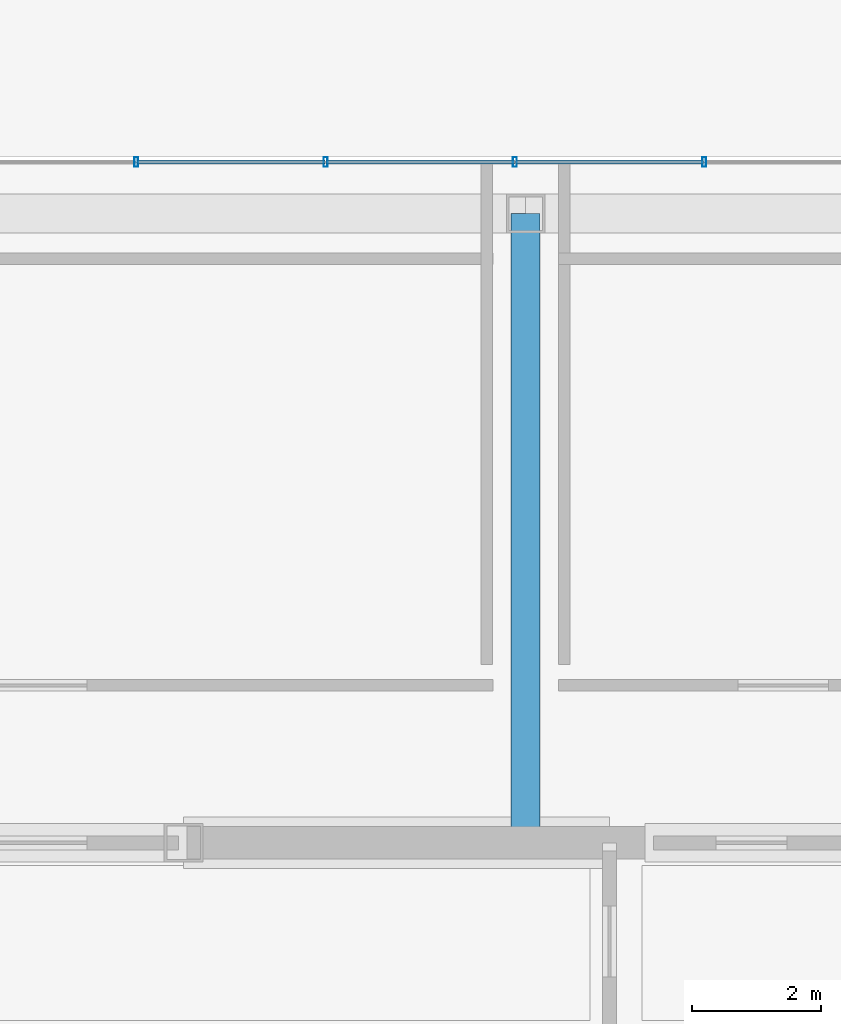
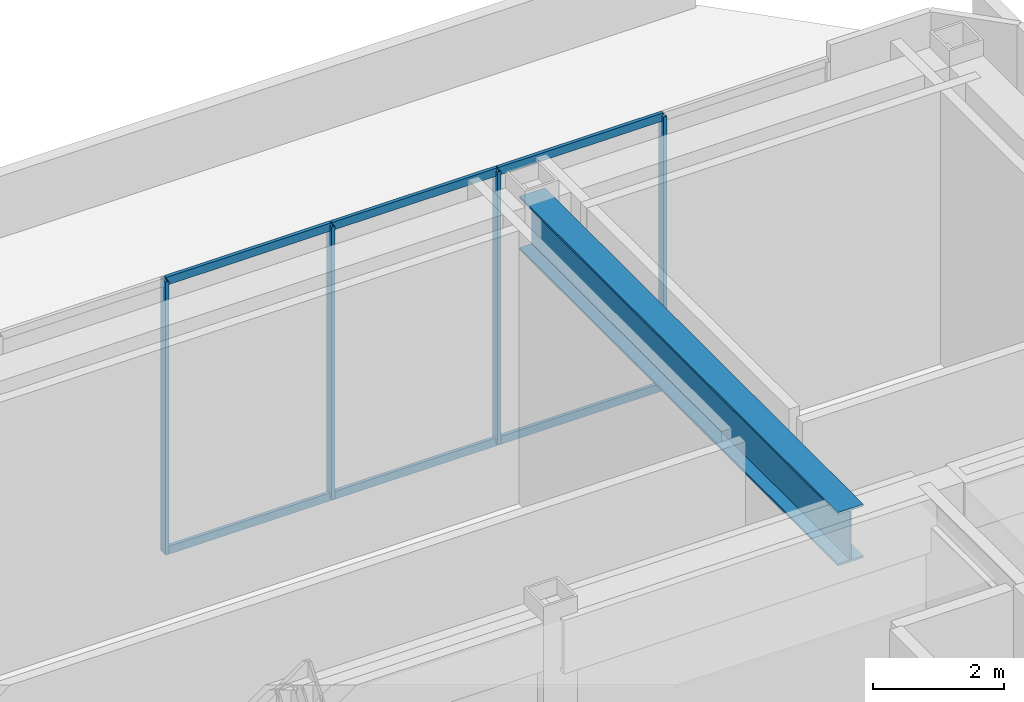
# One storey, part 5 of 11: 10 members, 1 beam, 1 element without a shape of its own.
"""IFC4 building model written with IfcOpenShell, lengths in metres."""

import ifcopenshell
import ifcopenshell.guid

model = None  # the IFC model being written
_history = None  # IfcOwnerHistory: only IFC2X3 demands one
_inside = {}  # id of a spatial element -> (the spatial element, [elements in it])
_under = {}  # id of a project, library or spatial element -> (it, [spatial elements below it])
_declared = {}  # id of a project -> (the project, [libraries it declares])
_typed = {}  # id of a type object -> (the type object, [elements of that type])
_made_of = {}  # id of a material, layer set ... -> (it, [elements and type objects made of it])


def new_model(schema):
    """Start an empty IFC model of exactly this schema.

    Asked for "IFC4X3", IfcOpenShell would pick the latest addendum, in which some entities
    have other attributes; the version numbers below select the first issue.
    IFC2X3 requires an IfcOwnerHistory on every rooted entity: one is made here for all.
    """
    global model, _history
    if schema == "IFC4X3":
        model = ifcopenshell.file(schema_version=(4, 3, 0, 0))
    else:
        model = ifcopenshell.file(schema=schema)
    _inside.clear()
    _under.clear()
    _declared.clear()
    _typed.clear()
    _made_of.clear()
    _history = None
    if model.schema == "IFC2X3":
        org = make("IfcOrganization", Name="unknown")
        user = make(
            "IfcPersonAndOrganization",
            ThePerson=make("IfcPerson", FamilyName="unknown"),
            TheOrganization=org,
        )
        app = make(
            "IfcApplication",
            ApplicationDeveloper=org,
            Version="unknown",
            ApplicationFullName="unknown",
            ApplicationIdentifier="unknown",
        )
        _history = make(
            "IfcOwnerHistory",
            OwningUser=user,
            OwningApplication=app,
            ChangeAction="ADDED",
            CreationDate=0,
        )
    return model


def make(cls, **values):
    """One entity of the class cls with the attributes given. An attribute that is None is left unset."""
    return model.create_entity(
        cls, **{name: value for name, value in values.items() if value is not None}
    )


def rooted(cls, **values):
    """An entity with a GlobalId (a new one), such as an element, a storey or a relation."""
    return make(cls, GlobalId=ifcopenshell.guid.new(), OwnerHistory=_history, **values)


def si_unit(unit_type, name, prefix=None):
    """IfcSIUnit, for example si_unit("LENGTHUNIT", "METRE", prefix="MILLI")."""
    return make("IfcSIUnit", UnitType=unit_type, Prefix=prefix, Name=name)


def assignment(units):
    """IfcUnitAssignment: the units of a project."""
    return None if units is None else make("IfcUnitAssignment", Units=units)


def point(xyz):
    """IfcCartesianPoint."""
    return None if xyz is None else make("IfcCartesianPoint", Coordinates=xyz)


def direction(xyz):
    """IfcDirection."""
    return None if xyz is None else make("IfcDirection", DirectionRatios=xyz)


def frame(location, z_axis=None, x_axis=None):
    """IfcAxis2Placement3D, a coordinate frame: its origin and axes. An axis left out is left unset."""
    return make(
        "IfcAxis2Placement3D",
        Location=point(location),
        Axis=direction(z_axis),
        RefDirection=direction(x_axis),
    )


def frame_2d(location, x_axis=None):
    """IfcAxis2Placement2D, a coordinate frame in the plane: its origin and x axis."""
    return make(
        "IfcAxis2Placement2D", Location=point(location), RefDirection=direction(x_axis)
    )


def origin():
    """The frame at (0, 0, 0) with its axes left unset."""
    return frame((0.0, 0.0, 0.0))


def origin_2d():
    """The frame at (0, 0) in the plane with its x axis left unset."""
    return frame_2d((0.0, 0.0))


def place(relative_to, where):
    """IfcLocalPlacement: puts the frame where relative to a parent placement (None: the world)."""
    return make(
        "IfcLocalPlacement", PlacementRelTo=relative_to, RelativePlacement=where
    )


def context(
    kind, dimensions, precision=None, world=None, true_north=None, identifier=None
):
    """IfcGeometricRepresentationContext, for example the 3D "Model" context."""
    return make(
        "IfcGeometricRepresentationContext",
        ContextIdentifier=identifier,
        ContextType=kind,
        CoordinateSpaceDimension=dimensions,
        Precision=precision,
        WorldCoordinateSystem=world,
        TrueNorth=true_north,
    )


def subcontext(parent, identifier, kind, view, scale=None):
    """IfcGeometricRepresentationSubContext, for example "Body" below "Model"."""
    return make(
        "IfcGeometricRepresentationSubContext",
        ContextIdentifier=identifier,
        ContextType=kind,
        ParentContext=parent,
        TargetScale=scale,
        TargetView=view,
    )


def project(units=None, contexts=None):
    """IfcProject with its units and contexts."""
    return rooted(
        "IfcProject",
        Name="project",
        RepresentationContexts=contexts,
        UnitsInContext=assignment(units),
    )


def spatial(cls, under=None, at=None, **own):
    """A site, building, storey or space (cls), placed at a placement, below another one or the project."""
    s = rooted(cls, ObjectPlacement=at, **own)
    if under is not None:
        _under.setdefault(under.id(), (under, []))[1].append(s)
    return s


def profile(cls, at=None, kind="AREA", **sizes):
    """A parametric profile (cls). Its sizes go by their IFC names, for example OverallWidth=200.0."""
    return make(cls, ProfileType=kind, Position=at, **sizes)


def hollow_rectangle(**sizes):
    """IfcRectangleHollowProfileDef."""
    return profile("IfcRectangleHollowProfileDef", **sizes)


def i_section(**sizes):
    """IfcIShapeProfileDef."""
    return profile("IfcIShapeProfileDef", **sizes)


def extrude(swept, where, along, depth):
    """IfcExtrudedAreaSolid: the profile swept, set in the frame where, extruded along a direction by depth."""
    return make(
        "IfcExtrudedAreaSolid",
        SweptArea=swept,
        Position=where,
        ExtrudedDirection=direction(along),
        Depth=depth,
    )


def shape(context_of_items, identifier, shape_type, items):
    """IfcShapeRepresentation: the items that make up one representation, for example the "Body"."""
    return make(
        "IfcShapeRepresentation",
        ContextOfItems=context_of_items,
        RepresentationIdentifier=identifier,
        RepresentationType=shape_type,
        Items=items,
    )


def material(Name=None, Category=None):
    """IfcMaterial."""
    return make("IfcMaterial", Name=Name, Category=Category)


def material_profile(
    of_material, cross_section, Name=None, Category=None, Priority=None
):
    """IfcMaterialProfile: a cross section and its material."""
    return make(
        "IfcMaterialProfile",
        Name=Name,
        Material=of_material,
        Profile=cross_section,
        Priority=Priority,
        Category=Category,
    )


def profile_set(profiles, Name=None, composite=None):
    """IfcMaterialProfileSet."""
    return make(
        "IfcMaterialProfileSet",
        Name=Name,
        MaterialProfiles=profiles,
        CompositeProfile=composite,
    )


def made_of(thing, what):
    """Note that an element or type object is made of a material, layer set ...; save() writes the relation."""
    if what is not None:
        _made_of.setdefault(what.id(), (what, []))[1].append(thing)
    return thing


def type_object(cls, material=None, **own):
    """A type object (cls), such as IfcWallType, which elements share."""
    return made_of(rooted(cls, **own), material)


def element(
    cls,
    number,
    at=None,
    inside=None,
    cuts=None,
    type_object=None,
    material=None,
    context=None,
    identifier="Body",
    shape_type=None,
    held_by="IfcProductDefinitionShape",
    body=None,
    shapes=None,
    **own,
):
    """One element of the class cls, such as IfcWall. Its Tag is "e" and its number.

    at: its placement. inside: the storey or other place that contains it. cuts: it is an
    opening in that element (IfcRelVoidsElement). A single representation is given by context,
    identifier, shape_type and body (its items); several are given by shapes. held_by: the class
    of the entity that holds the representations. save() writes the other relations.
    """
    e = rooted(cls, Tag="e%d" % number, ObjectPlacement=at, **own)
    if body is not None:
        shapes = [shape(context, identifier, shape_type, body)]
    if shapes is not None:
        e.Representation = make(held_by, Representations=shapes)
    if inside is not None:
        _inside.setdefault(inside.id(), (inside, []))[1].append(e)
    if cuts is not None:
        rooted(
            "IfcRelVoidsElement", RelatingBuildingElement=cuts, RelatedOpeningElement=e
        )
    if type_object is not None:
        _typed.setdefault(type_object.id(), (type_object, []))[1].append(e)
    return made_of(e, material)


def aggregate(whole, parts):
    """IfcRelAggregates: a whole, such as a stair, and the parts it consists of."""
    return rooted("IfcRelAggregates", RelatingObject=whole, RelatedObjects=parts)


def save(model, path):
    """Write the relations noted so far, then the file.

    IfcRelAggregates (storeys below a building ...), IfcRelContainedInSpatialStructure (elements
    in a storey), IfcRelDefinesByType, IfcRelAssociatesMaterial and IfcRelDeclares: one each for
    every whole, place, type object, material and project.
    """
    for whole, parts in _under.values():
        aggregate(whole, parts)
    for where, things in _inside.values():
        rooted(
            "IfcRelContainedInSpatialStructure",
            RelatedElements=things,
            RelatingStructure=where,
        )
    for kind, things in _typed.values():
        rooted("IfcRelDefinesByType", RelatedObjects=things, RelatingType=kind)
    for what, things in _made_of.values():
        rooted("IfcRelAssociatesMaterial", RelatedObjects=things, RelatingMaterial=what)
    for by, libraries in _declared.values():
        rooted("IfcRelDeclares", RelatingContext=by, RelatedDefinitions=libraries)
    model.write(path)


model = new_model("IFC4")

# Units and contexts
model_context = context("Model", 3, precision=1e-05, world=origin(), true_north=direction((0.0, 1.0)))
body_context = subcontext(model_context, "Body", "Model", "MODEL_VIEW")
ifc_project = project(units=[si_unit("LENGTHUNIT", "METRE"), si_unit("AREAUNIT", "SQUARE_METRE"), si_unit("VOLUMEUNIT", "CUBIC_METRE"), si_unit("PLANEANGLEUNIT", "RADIAN"), si_unit("MASSUNIT", "GRAM", prefix="KILO")], contexts=[model_context])

# Site, building, storey
site_placement = place(None, origin())
site = spatial("IfcSite", under=ifc_project, at=site_placement, CompositionType="ELEMENT")
building_placement = place(site_placement, origin())
building = spatial("IfcBuilding", under=site, at=building_placement, Name="Ventersveld Concourse Tower", CompositionType="ELEMENT")
storey_placement = place(building_placement, frame((0.0, 0.0, 366.64990234375)))
storey = spatial("IfcBuildingStorey", under=building, at=storey_placement, Name="L90", CompositionType="ELEMENT", Elevation=366.64990234375)

# Curtain wall, members
ifc_material_1 = material(Name="Anodised aluminium EN AW-6063-T6", Category="aluminium")
curtain_wall_type = type_object("IfcCurtainWallType", Name="CW-CRN-6", PredefinedType="NOTDEFINED", material=ifc_material_1)
curtain_wall_placement = place(storey_placement, origin())
curtain_wall = element("IfcCurtainWall", 1, at=curtain_wall_placement, inside=storey, type_object=curtain_wall_type, Name="L90 L90 Crown North Glazed Curtain Wall", PredefinedType="NOTDEFINED")
ifc_material_profile_1 = material_profile(ifc_material_1, hollow_rectangle(XDim=0.06005859375, YDim=0.14990234375, WallThickness=0.00390625, at=origin_2d()), Name="ALU 150x60x4")
ifc_profile_set_1 = profile_set([ifc_material_profile_1], Name="Anodised aluminium EN AW-6063-T6")
member_type_1 = type_object("IfcMemberType", Name="CWM-150x65", PredefinedType="MULLION", material=ifc_profile_set_1)
member_1_placement = place(storey_placement, frame((39.0166015625, 22.0, 0.0), z_axis=(0.0, 0.0, 1.0), x_axis=(1.0, 0.0, 0.0)))
member_1 = element("IfcMember", 2, at=member_1_placement, type_object=member_type_1, Name="CW-L90-N Mullion 02", PredefinedType="MULLION", context=body_context, shape_type="SweptSolid", body=[
    extrude(hollow_rectangle(XDim=0.06005859375, YDim=0.14990234375, WallThickness=0.00390625, at=origin_2d()), origin(), (0.0, 0.0, 1.0), 5.10009765625),
])
member_2_placement = place(storey_placement, frame((36.083251953125, 22.0, 0.0), z_axis=(0.0, 0.0, 1.0), x_axis=(1.0, 0.0, 0.0)))
member_2 = element("IfcMember", 3, at=member_2_placement, type_object=member_type_1, Name="CW-L90-N Mullion 03", PredefinedType="MULLION", context=body_context, shape_type="SweptSolid", body=[
    extrude(hollow_rectangle(XDim=0.06005859375, YDim=0.14990234375, WallThickness=0.00390625, at=origin_2d()), origin(), (0.0, 0.0, 1.0), 5.10009765625),
])
member_3_placement = place(storey_placement, frame((33.14990234375, 22.0, 0.0), z_axis=(0.0, 0.0, 1.0), x_axis=(1.0, 0.0, 0.0)))
member_3 = element("IfcMember", 4, at=member_3_placement, type_object=member_type_1, Name="CW-L90-N Mullion 04", PredefinedType="MULLION", context=body_context, shape_type="SweptSolid", body=[
    extrude(hollow_rectangle(XDim=0.06005859375, YDim=0.14990234375, WallThickness=0.00390625, at=origin_2d()), origin(), (0.0, 0.0, 1.0), 5.10009765625),
])
member_4_placement = place(storey_placement, frame((30.216796875, 22.0, 0.0), z_axis=(0.0, 0.0, 1.0), x_axis=(1.0, 0.0, 0.0)))
member_4 = element("IfcMember", 5, at=member_4_placement, type_object=member_type_1, Name="CW-L90-N Mullion 05", PredefinedType="MULLION", context=body_context, shape_type="SweptSolid", body=[
    extrude(hollow_rectangle(XDim=0.06005859375, YDim=0.14990234375, WallThickness=0.00390625, at=origin_2d()), origin(), (0.0, 0.0, 1.0), 5.10009765625),
])
ifc_material_profile_2 = material_profile(ifc_material_1, hollow_rectangle(XDim=0.06005859375, YDim=0.14990234375, WallThickness=0.00390625, at=origin_2d()), Name="ALU 150x60x4")
ifc_profile_set_2 = profile_set([ifc_material_profile_2], Name="Anodised aluminium EN AW-6063-T6")
member_type_2 = type_object("IfcMemberType", Name="CWT-150x60", PredefinedType="USERDEFINED", material=ifc_profile_set_2)
member_5_placement = place(storey_placement, frame((39.006591796875, 22.0, 0.030029296875), z_axis=(-1.0, 0.0, 0.0), x_axis=(0.0, -1.0, 0.0)))
member_5 = element("IfcMember", 6, at=member_5_placement, type_object=member_type_2, Name="CW-L90-N Transom 1-02", ObjectType="TRANSOM", PredefinedType="USERDEFINED", context=body_context, shape_type="SweptSolid", body=[
    extrude(hollow_rectangle(XDim=0.06005859375, YDim=0.14990234375, WallThickness=0.00390625, at=origin_2d()), origin(), (0.0, 0.0, 1.0), 2.913330078125),
])
member_6_placement = place(storey_placement, frame((36.0732421875, 22.0, 0.030029296875), z_axis=(-1.0, 0.0, 0.0), x_axis=(0.0, -1.0, 0.0)))
member_6 = element("IfcMember", 7, at=member_6_placement, type_object=member_type_2, Name="CW-L90-N Transom 1-03", ObjectType="TRANSOM", PredefinedType="USERDEFINED", context=body_context, shape_type="SweptSolid", body=[
    extrude(hollow_rectangle(XDim=0.06005859375, YDim=0.14990234375, WallThickness=0.00390625, at=origin_2d()), origin(), (0.0, 0.0, 1.0), 2.913330078125),
])
member_7_placement = place(storey_placement, frame((33.139892578125, 22.0, 0.030029296875), z_axis=(-1.0, 0.0, 0.0), x_axis=(0.0, -1.0, 0.0)))
member_7 = element("IfcMember", 8, at=member_7_placement, type_object=member_type_2, Name="CW-L90-N Transom 1-04", ObjectType="TRANSOM", PredefinedType="USERDEFINED", context=body_context, shape_type="SweptSolid", body=[
    extrude(hollow_rectangle(XDim=0.06005859375, YDim=0.14990234375, WallThickness=0.00390625, at=origin_2d()), origin(), (0.0, 0.0, 1.0), 2.9130859375),
])
member_8_placement = place(storey_placement, frame((39.006591796875, 22.0, 5.070068359375), z_axis=(-1.0, 0.0, 0.0), x_axis=(0.0, -1.0, 0.0)))
member_8 = element("IfcMember", 9, at=member_8_placement, type_object=member_type_2, Name="CW-L90-N Transom 2-02", ObjectType="TRANSOM", PredefinedType="USERDEFINED", context=body_context, shape_type="SweptSolid", body=[
    extrude(hollow_rectangle(XDim=0.06005859375, YDim=0.14990234375, WallThickness=0.00390625, at=origin_2d()), origin(), (0.0, 0.0, 1.0), 2.913330078125),
])
member_9_placement = place(storey_placement, frame((36.0732421875, 22.0, 5.070068359375), z_axis=(-1.0, 0.0, 0.0), x_axis=(0.0, -1.0, 0.0)))
member_9 = element("IfcMember", 10, at=member_9_placement, type_object=member_type_2, Name="CW-L90-N Transom 2-03", ObjectType="TRANSOM", PredefinedType="USERDEFINED", context=body_context, shape_type="SweptSolid", body=[
    extrude(hollow_rectangle(XDim=0.06005859375, YDim=0.14990234375, WallThickness=0.00390625, at=origin_2d()), origin(), (0.0, 0.0, 1.0), 2.913330078125),
])
member_10_placement = place(storey_placement, frame((33.139892578125, 22.0, 5.070068359375), z_axis=(-1.0, 0.0, 0.0), x_axis=(0.0, -1.0, 0.0)))
member_10 = element("IfcMember", 11, at=member_10_placement, type_object=member_type_2, Name="CW-L90-N Transom 2-04", ObjectType="TRANSOM", PredefinedType="USERDEFINED", context=body_context, shape_type="SweptSolid", body=[
    extrude(hollow_rectangle(XDim=0.06005859375, YDim=0.14990234375, WallThickness=0.00390625, at=origin_2d()), origin(), (0.0, 0.0, 1.0), 2.9130859375),
])
aggregate(curtain_wall, [member_1, member_2, member_3, member_4, member_5, member_6, member_7, member_8, member_9, member_10])

# Beam
ifc_material_2 = material(Name="Structural steel S460ML", Category="steel")
ifc_material_profile_3 = material_profile(ifc_material_2, i_section(OverallWidth=0.449951171875, OverallDepth=1.0, WebThickness=0.02392578125, FlangeThickness=0.0400390625, at=origin_2d()), Name="PG 1000x450x40")
ifc_profile_set_3 = profile_set([ifc_material_profile_3], Name="Structural steel S460ML")
beam_type = type_object("IfcBeamType", Name="TG-PG1000", PredefinedType="USERDEFINED", material=ifc_profile_set_3)
beam_placement = place(storey_placement, frame((36.25, 11.449951171875, 4.60009765625), z_axis=(0.0, 1.0, 0.0), x_axis=(-1.0, 0.0, 0.0)))
element("IfcBeam", 12, at=beam_placement, inside=storey, type_object=beam_type, Name="L90 Crown Interior Girder E", ObjectType="TRANSFER_GIRDER", PredefinedType="USERDEFINED", context=body_context, shape_type="SweptSolid", body=[
    extrude(i_section(OverallWidth=0.449951171875, OverallDepth=1.0, WebThickness=0.02392578125, FlangeThickness=0.0400390625, at=origin_2d()), origin(), (0.0, 0.0, 1.0), 9.75),
])

save(model, "model.ifc")
